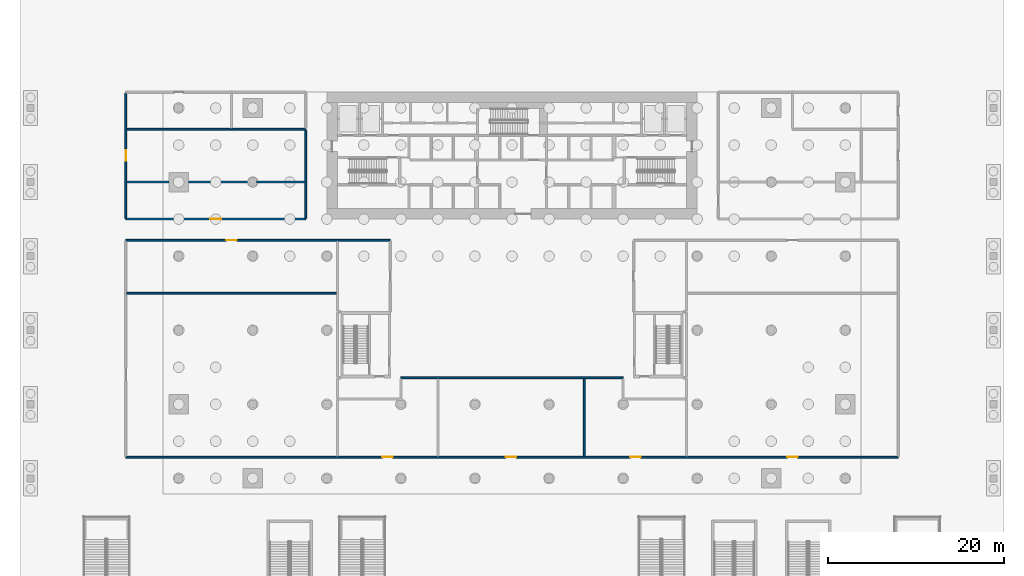
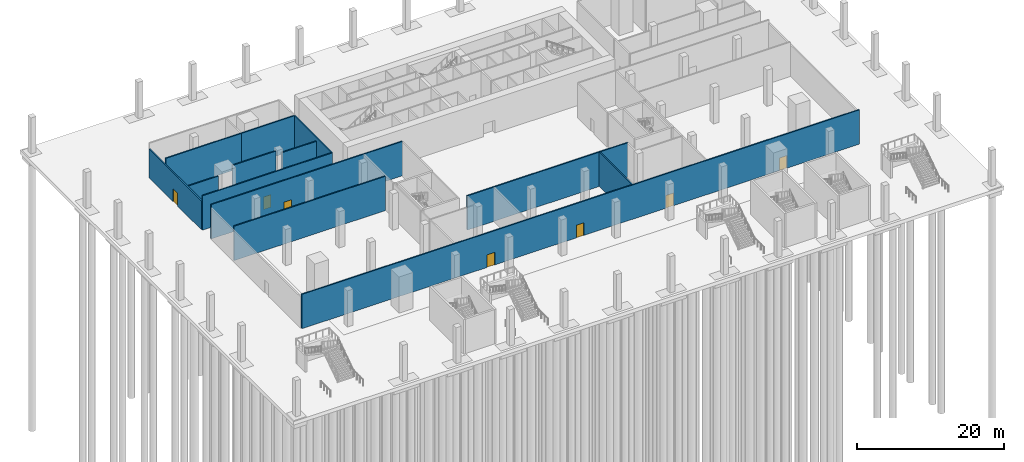
# One storey, part 5 of 16: 13 walls, 7 doors, 7 openings.
"""IFC4 building model written with IfcOpenShell, lengths in metres."""

from ifc_helpers import new_model, si_unit, direction, frame, frame_2d, origin, place, context, subcontext, project, spatial, rectangle, extrude, material, layer, layer_set, type_object, element, fill, save


model = new_model("IFC4")

# Units and contexts
model_context = context("Model", 3, precision=1e-05, world=origin(), true_north=direction((0.0, 1.0)))
body_context = subcontext(model_context, "Body", "Model", "MODEL_VIEW")
ifc_project = project(units=[si_unit("LENGTHUNIT", "METRE"), si_unit("AREAUNIT", "SQUARE_METRE"), si_unit("VOLUMEUNIT", "CUBIC_METRE"), si_unit("PLANEANGLEUNIT", "RADIAN"), si_unit("MASSUNIT", "GRAM", prefix="KILO")], contexts=[model_context])

# Site, building, storey
site_placement = place(None, origin())
site = spatial("IfcSite", under=ifc_project, at=site_placement, CompositionType="ELEMENT")
building_placement = place(site_placement, origin())
building = spatial("IfcBuilding", under=site, at=building_placement, Name="Saffron Gate Tower", CompositionType="ELEMENT")
storey_placement = place(building_placement, frame((0.0, 0.0, -6.0)))
storey = spatial("IfcBuildingStorey", under=building, at=storey_placement, Name="B1", CompositionType="ELEMENT", Elevation=-6.0)

# Wall, openings, doors
ifc_material_1 = material(Name="Clay brick masonry, rendered", Category="masonry")
ifc_layer_1 = layer(ifc_material_1, 0.199951171875)
ifc_layer_set_1 = layer_set([ifc_layer_1], Name="PW3 Corridor wall 200")
wall_type_1 = type_object("IfcWallType", Name="PW3 Corridor wall 200", PredefinedType="PARTITIONING", material=ifc_layer_set_1)
wall_1_placement = place(storey_placement, frame((43.800048828125, 34.199951171875, 0.0), z_axis=(0.0, 0.0, 1.0), x_axis=(1.0, 0.0, 0.0)))
wall_1 = element("IfcWall", 1, at=wall_1_placement, inside=storey, type_object=wall_type_1, Name="Wall BS-1", PredefinedType="PARTITIONING", context=body_context, shape_type="SweptSolid", body=[
    extrude(rectangle(XDim=87.599853515625, YDim=0.199951171875, at=frame_2d((43.7998046875, 0.0))), origin(), (0.0, 0.0, 1.0), 5.699951171875),
])
opening_1_placement = place(wall_1_placement, frame((29.10009765625, 0.0, 0.0)))
opening_1 = element("IfcOpeningElement", 2, at=opening_1_placement, cuts=wall_1, Name="Opening BS-7", PredefinedType="OPENING", context=body_context, shape_type="SweptSolid", body=[
    extrude(rectangle(XDim=1.199951171875, YDim=2.10009765625, at=frame_2d((0.60009765625, 1.050048828125))), frame((0.0, 0.10986328125, 0.0), z_axis=(0.0, -1.0, 0.0), x_axis=(1.0, 0.0, 0.0)), (0.0, 0.0, 1.0), 0.219970703125),
])
opening_2_placement = place(wall_1_placement, frame((43.10009765625, 0.0, 0.0)))
opening_2 = element("IfcOpeningElement", 3, at=opening_2_placement, cuts=wall_1, Name="Opening BS-8", PredefinedType="OPENING", context=body_context, shape_type="SweptSolid", body=[
    extrude(rectangle(XDim=1.199951171875, YDim=2.10009765625, at=frame_2d((0.60009765625, 1.050048828125))), frame((0.0, 0.10986328125, 0.0), z_axis=(0.0, -1.0, 0.0), x_axis=(1.0, 0.0, 0.0)), (0.0, 0.0, 1.0), 0.219970703125),
])
opening_3_placement = place(wall_1_placement, frame((57.199951171875, 0.0, 0.0)))
opening_3 = element("IfcOpeningElement", 4, at=opening_3_placement, cuts=wall_1, Name="Opening BS-9", PredefinedType="OPENING", context=body_context, shape_type="SweptSolid", body=[
    extrude(rectangle(XDim=1.199951171875, YDim=2.10009765625, at=frame_2d((0.60009765625, 1.050048828125))), frame((0.0, 0.10986328125, 0.0), z_axis=(0.0, -1.0, 0.0), x_axis=(1.0, 0.0, 0.0)), (0.0, 0.0, 1.0), 0.219970703125),
])
opening_4_placement = place(wall_1_placement, frame((75.0, 0.0, 0.0)))
opening_4 = element("IfcOpeningElement", 5, at=opening_4_placement, cuts=wall_1, Name="Opening BS-6", PredefinedType="OPENING", context=body_context, shape_type="SweptSolid", body=[
    extrude(rectangle(XDim=1.199951171875, YDim=2.10009765625, at=frame_2d((0.60009765625, 1.050048828125))), frame((0.0, 0.10986328125, 0.0), z_axis=(0.0, -1.0, 0.0), x_axis=(1.0, 0.0, 0.0)), (0.0, 0.0, 1.0), 0.219970703125),
])
ifc_material_2 = material(Name="Timber door set", Category="wood")
door_type = type_object("IfcDoorType", Name="HD1 Hall door 1200x2100", OperationType="NOTDEFINED", PredefinedType="DOOR", material=ifc_material_2)
door_1_placement = place(opening_1_placement, origin())
door_1 = element("IfcDoor", 6, at=door_1_placement, inside=storey, type_object=door_type, Name="Door BS-7", OperationType="SINGLE_SWING_LEFT", OverallHeight=2.10009765625, OverallWidth=1.199951171875, PredefinedType="DOOR", context=body_context, shape_type="SweptSolid", body=[
    extrude(rectangle(XDim=1.199951171875, YDim=2.10009765625, at=frame_2d((0.60009765625, 1.050048828125))), frame((0.0, 0.02490234375, 0.0), z_axis=(0.0, -1.0, 0.0), x_axis=(1.0, 0.0, 0.0)), (0.0, 0.0, 1.0), 0.050048828125),
])
fill(opening_1, door_1)
door_2_placement = place(opening_2_placement, origin())
door_2 = element("IfcDoor", 7, at=door_2_placement, inside=storey, type_object=door_type, Name="Door BS-8", OperationType="SINGLE_SWING_RIGHT", OverallHeight=2.10009765625, OverallWidth=1.199951171875, PredefinedType="DOOR", context=body_context, shape_type="SweptSolid", body=[
    extrude(rectangle(XDim=1.199951171875, YDim=2.10009765625, at=frame_2d((0.60009765625, 1.050048828125))), frame((0.0, 0.02490234375, 0.0), z_axis=(0.0, -1.0, 0.0), x_axis=(1.0, 0.0, 0.0)), (0.0, 0.0, 1.0), 0.050048828125),
])
fill(opening_2, door_2)
door_3_placement = place(opening_3_placement, origin())
door_3 = element("IfcDoor", 8, at=door_3_placement, inside=storey, type_object=door_type, Name="Door BS-9", OperationType="SINGLE_SWING_LEFT", OverallHeight=2.10009765625, OverallWidth=1.199951171875, PredefinedType="DOOR", context=body_context, shape_type="SweptSolid", body=[
    extrude(rectangle(XDim=1.199951171875, YDim=2.10009765625, at=frame_2d((0.60009765625, 1.050048828125))), frame((0.0, 0.02490234375, 0.0), z_axis=(0.0, -1.0, 0.0), x_axis=(1.0, 0.0, 0.0)), (0.0, 0.0, 1.0), 0.050048828125),
])
fill(opening_3, door_3)
door_4_placement = place(opening_4_placement, origin())
door_4 = element("IfcDoor", 9, at=door_4_placement, inside=storey, type_object=door_type, Name="Door BS-6", OperationType="SINGLE_SWING_RIGHT", OverallHeight=2.10009765625, OverallWidth=1.199951171875, PredefinedType="DOOR", context=body_context, shape_type="SweptSolid", body=[
    extrude(rectangle(XDim=1.199951171875, YDim=2.10009765625, at=frame_2d((0.60009765625, 1.050048828125))), frame((0.0, 0.02490234375, 0.0), z_axis=(0.0, -1.0, 0.0), x_axis=(1.0, 0.0, 0.0)), (0.0, 0.0, 1.0), 0.050048828125),
])
fill(opening_4, door_4)

# Wall
wall_2_placement = place(storey_placement, frame((75.0, 43.199951171875, 0.0), z_axis=(0.0, 0.0, 1.0), x_axis=(1.0, 0.0, 0.0)))
element("IfcWall", 10, at=wall_2_placement, inside=storey, type_object=wall_type_1, Name="Wall BS-4", PredefinedType="PARTITIONING", context=body_context, shape_type="SweptSolid", body=[
    extrude(rectangle(XDim=25.199951171875, YDim=0.199951171875, at=frame_2d((12.60009765625, 0.0))), origin(), (0.0, 0.0, 1.0), 5.699951171875),
])

# Wall, opening, door
wall_3_placement = place(storey_placement, frame((73.800048828125, 58.800048828125, 0.0), z_axis=(0.0, 0.0, 1.0), x_axis=(-1.0, 0.0, 0.0)))
wall_3 = element("IfcWall", 11, at=wall_3_placement, inside=storey, type_object=wall_type_1, Name="Wall BS-11", PredefinedType="PARTITIONING", context=body_context, shape_type="SweptSolid", body=[
    extrude(rectangle(XDim=30.0, YDim=0.199951171875, at=frame_2d((15.0, 0.0))), origin(), (0.0, 0.0, 1.0), 5.699951171875),
])
opening_5_placement = place(wall_3_placement, frame((17.39990234375, 0.0, 0.0)))
opening_5 = element("IfcOpeningElement", 12, at=opening_5_placement, cuts=wall_3, Name="Opening BS-14", PredefinedType="OPENING", context=body_context, shape_type="SweptSolid", body=[
    extrude(rectangle(XDim=1.199951171875, YDim=2.10009765625, at=frame_2d((0.60009765625, 1.050048828125))), frame((0.0, 0.10986328125, 0.0), z_axis=(0.0, -1.0, 0.0), x_axis=(1.0, 0.0, 0.0)), (0.0, 0.0, 1.0), 0.219970703125),
])
door_5_placement = place(opening_5_placement, origin())
door_5 = element("IfcDoor", 13, at=door_5_placement, inside=storey, type_object=door_type, Name="Door BS-14", OperationType="SINGLE_SWING_RIGHT", OverallHeight=2.10009765625, OverallWidth=1.199951171875, PredefinedType="DOOR", context=body_context, shape_type="SweptSolid", body=[
    extrude(rectangle(XDim=1.199951171875, YDim=2.10009765625, at=frame_2d((0.60009765625, 1.050048828125))), frame((0.0, 0.02490234375, 0.0), z_axis=(0.0, -1.0, 0.0), x_axis=(1.0, 0.0, 0.0)), (0.0, 0.0, 1.0), 0.050048828125),
])
fill(opening_5, door_5)

wall_4_placement = place(storey_placement, frame((43.800048828125, 61.199951171875, 0.0), z_axis=(0.0, 0.0, 1.0), x_axis=(1.0, 0.0, 0.0)))
wall_4 = element("IfcWall", 14, at=wall_4_placement, inside=storey, type_object=wall_type_1, Name="Wall BS-13", PredefinedType="PARTITIONING", context=body_context, shape_type="SweptSolid", body=[
    extrude(rectangle(XDim=20.39990234375, YDim=0.199951171875, at=frame_2d((10.199951171875, 0.0))), origin(), (0.0, 0.0, 1.0), 5.699951171875),
])
opening_6_placement = place(wall_4_placement, frame((9.60009765625, 0.0, 0.0)))
opening_6 = element("IfcOpeningElement", 15, at=opening_6_placement, cuts=wall_4, Name="Opening BS-15", PredefinedType="OPENING", context=body_context, shape_type="SweptSolid", body=[
    extrude(rectangle(XDim=1.199951171875, YDim=2.10009765625, at=frame_2d((0.60009765625, 1.050048828125))), frame((0.0, 0.10986328125, 0.0), z_axis=(0.0, -1.0, 0.0), x_axis=(1.0, 0.0, 0.0)), (0.0, 0.0, 1.0), 0.219970703125),
])
door_6_placement = place(opening_6_placement, origin())
door_6 = element("IfcDoor", 16, at=door_6_placement, inside=storey, type_object=door_type, Name="Door BS-15", OperationType="SINGLE_SWING_LEFT", OverallHeight=2.10009765625, OverallWidth=1.199951171875, PredefinedType="DOOR", context=body_context, shape_type="SweptSolid", body=[
    extrude(rectangle(XDim=1.199951171875, YDim=2.10009765625, at=frame_2d((0.60009765625, 1.050048828125))), frame((0.0, 0.02490234375, 0.0), z_axis=(0.0, -1.0, 0.0), x_axis=(1.0, 0.0, 0.0)), (0.0, 0.0, 1.0), 0.050048828125),
])
fill(opening_6, door_6)

wall_5_placement = place(storey_placement, frame((43.800048828125, 75.5, 0.0), z_axis=(0.0, 0.0, 1.0), x_axis=(0.0, -1.0, 0.0)))
wall_5 = element("IfcWall", 17, at=wall_5_placement, inside=storey, type_object=wall_type_1, Name="Wall BS-31", PredefinedType="PARTITIONING", context=body_context, shape_type="SweptSolid", body=[
    extrude(rectangle(XDim=14.199951171875, YDim=0.199951171875, at=frame_2d((7.10009765625, 0.0))), origin(), (0.0, 0.0, 1.0), 4.800048828125),
])
opening_7_placement = place(wall_5_placement, frame((6.5, 0.0, 0.0)))
opening_7 = element("IfcOpeningElement", 18, at=opening_7_placement, cuts=wall_5, Name="Opening BS-11", PredefinedType="OPENING", context=body_context, shape_type="SweptSolid", body=[
    extrude(rectangle(XDim=1.199951171875, YDim=2.10009765625, at=frame_2d((0.60009765625, 1.050048828125))), frame((0.0, 0.10986328125, 0.0), z_axis=(0.0, -1.0, 0.0), x_axis=(1.0, 0.0, 0.0)), (0.0, 0.0, 1.0), 0.219970703125),
])
door_7_placement = place(opening_7_placement, origin())
door_7 = element("IfcDoor", 19, at=door_7_placement, inside=storey, type_object=door_type, Name="Door BS-11", OperationType="SINGLE_SWING_RIGHT", OverallHeight=2.10009765625, OverallWidth=1.199951171875, PredefinedType="DOOR", context=body_context, shape_type="SweptSolid", body=[
    extrude(rectangle(XDim=1.199951171875, YDim=2.10009765625, at=frame_2d((0.60009765625, 1.050048828125))), frame((0.0, 0.02490234375, 0.0), z_axis=(0.0, -1.0, 0.0), x_axis=(1.0, 0.0, 0.0)), (0.0, 0.0, 1.0), 0.050048828125),
])
fill(opening_7, door_7)

# Walls
wall_6_placement = place(storey_placement, frame((64.199951171875, 71.300048828125, 0.0), z_axis=(0.0, 0.0, 1.0), x_axis=(0.0, -1.0, 0.0)))
element("IfcWall", 20, at=wall_6_placement, inside=storey, type_object=wall_type_1, Name="Wall BS-33", PredefinedType="PARTITIONING", context=body_context, shape_type="SweptSolid", body=[
    extrude(rectangle(XDim=10.0, YDim=0.199951171875, at=frame_2d((5.0, 0.0))), origin(), (0.0, 0.0, 1.0), 5.699951171875),
])
ifc_layer_2 = layer(ifc_material_1, 0.199951171875)
ifc_layer_set_2 = layer_set([ifc_layer_2], Name="PW5 Room wall 200")
wall_type_2 = type_object("IfcWallType", Name="PW5 Room wall 200", PredefinedType="PARTITIONING", material=ifc_layer_set_2)
wall_7_placement = place(storey_placement, frame((43.89990234375, 52.800048828125, 0.0), z_axis=(0.0, 0.0, 1.0), x_axis=(1.0, 0.0, 0.0)))
element("IfcWall", 21, at=wall_7_placement, inside=storey, type_object=wall_type_2, Name="Wall BS-9", PredefinedType="PARTITIONING", context=body_context, shape_type="SweptSolid", body=[
    extrude(rectangle(XDim=23.800048828125, YDim=0.199951171875, at=frame_2d((11.89990234375, 0.0))), origin(), (0.0, 0.0, 1.0), 5.699951171875),
])
wall_8_placement = place(storey_placement, frame((43.89990234375, 65.39990234375, 0.0), z_axis=(0.0, 0.0, 1.0), x_axis=(1.0, 0.0, 0.0)))
element("IfcWall", 22, at=wall_8_placement, inside=storey, type_object=wall_type_2, Name="Wall BS-18", PredefinedType="PARTITIONING", context=body_context, shape_type="SweptSolid", body=[
    extrude(rectangle(XDim=4.780029296875, YDim=0.199951171875, at=frame_2d((2.39013671875, 0.0))), origin(), (0.0, 0.0, 1.0), 4.7099609375),
])
wall_9_placement = place(storey_placement, frame((50.919921875, 65.39990234375, 0.0), z_axis=(0.0, 0.0, 1.0), x_axis=(1.0, 0.0, 0.0)))
element("IfcWall", 23, at=wall_9_placement, inside=storey, type_object=wall_type_2, Name="Wall BS-19", PredefinedType="PARTITIONING", context=body_context, shape_type="SweptSolid", body=[
    extrude(rectangle(XDim=6.81005859375, YDim=0.199951171875, at=frame_2d((3.405029296875, 0.0))), origin(), (0.0, 0.0, 1.0), 5.699951171875),
])
wall_10_placement = place(storey_placement, frame((58.669921875, 65.39990234375, 0.0), z_axis=(0.0, 0.0, 1.0), x_axis=(1.0, 0.0, 0.0)))
element("IfcWall", 24, at=wall_10_placement, inside=storey, type_object=wall_type_2, Name="Wall BS-20", PredefinedType="PARTITIONING", context=body_context, shape_type="SweptSolid", body=[
    extrude(rectangle(XDim=5.43017578125, YDim=0.199951171875, at=frame_2d((2.715087890625, 0.0))), origin(), (0.0, 0.0, 1.0), 5.10009765625),
])
wall_11_placement = place(storey_placement, frame((55.820068359375, 71.39990234375, 0.0), z_axis=(0.0, 0.0, 1.0), x_axis=(1.0, 0.0, 0.0)))
element("IfcWall", 25, at=wall_11_placement, inside=storey, type_object=wall_type_2, Name="Wall BS-23", PredefinedType="PARTITIONING", context=body_context, shape_type="SweptSolid", body=[
    extrude(rectangle(XDim=8.35986328125, YDim=0.199951171875, at=frame_2d((4.179931640625, 0.0))), origin(), (0.0, 0.0, 1.0), 5.699951171875),
])
wall_12_placement = place(storey_placement, frame((43.89990234375, 71.39990234375, 0.0), z_axis=(0.0, 0.0, 1.0), x_axis=(1.0, 0.0, 0.0)))
element("IfcWall", 26, at=wall_12_placement, inside=storey, type_object=wall_type_2, Name="Wall BS-25", PredefinedType="PARTITIONING", context=body_context, shape_type="SweptSolid", body=[
    extrude(rectangle(XDim=11.900146484375, YDim=0.199951171875, at=frame_2d((5.9501953125, 0.0))), origin(), (0.0, 0.0, 1.0), 5.699951171875),
])
wall_13_placement = place(storey_placement, frame((95.800048828125, 43.10009765625, 0.0), z_axis=(0.0, 0.0, 1.0), x_axis=(0.0, -1.0, 0.0)))
element("IfcWall", 27, at=wall_13_placement, inside=storey, type_object=wall_type_2, Name="Wall BS-42", PredefinedType="PARTITIONING", context=body_context, shape_type="SweptSolid", body=[
    extrude(rectangle(XDim=8.800048828125, YDim=0.199951171875, at=frame_2d((4.39990234375, 0.0))), origin(), (0.0, 0.0, 1.0), 5.699951171875),
])

save(model, "model.ifc")
